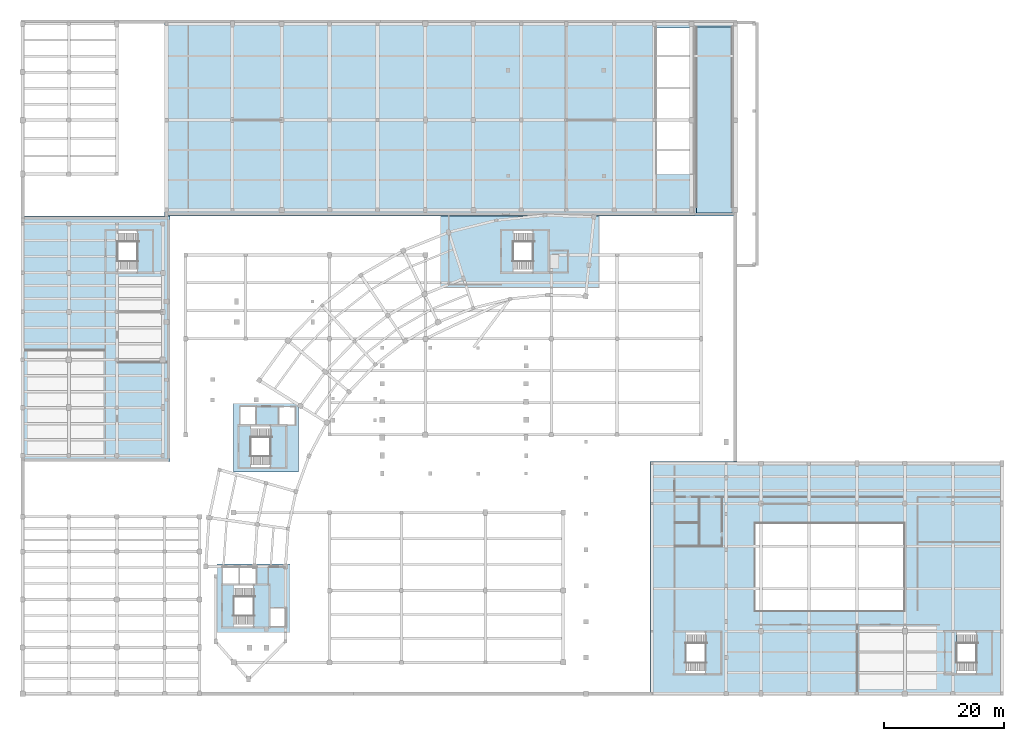
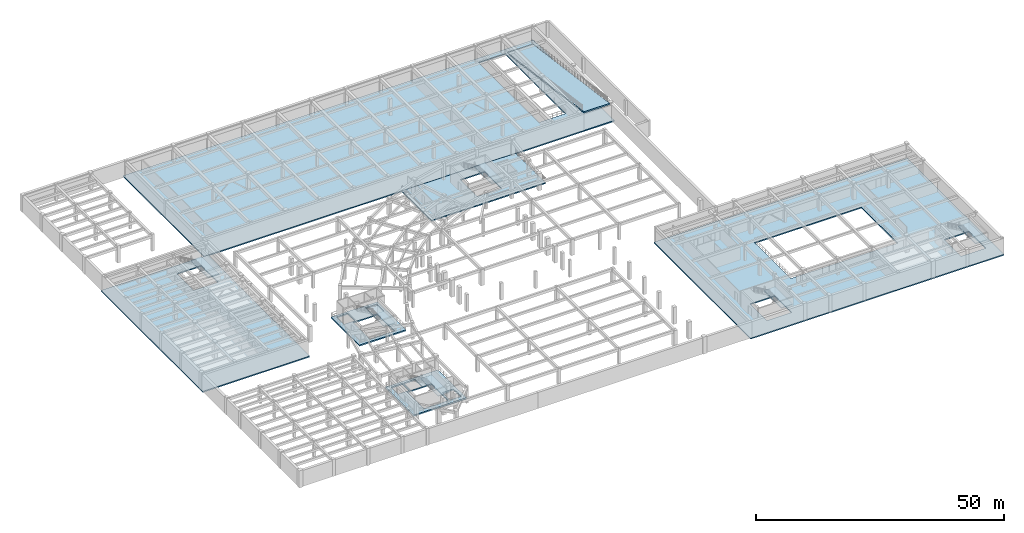
# One storey, part 9 of 35: 13 slabs, 6 elements without a shape of their own.
"""IFC4 building model written with IfcOpenShell, lengths in metres."""

import ifcopenshell
import ifcopenshell.guid

model = None  # the IFC model being written
_history = None  # IfcOwnerHistory: only IFC2X3 demands one
_inside = {}  # id of a spatial element -> (the spatial element, [elements in it])
_under = {}  # id of a project, library or spatial element -> (it, [spatial elements below it])
_declared = {}  # id of a project -> (the project, [libraries it declares])
_typed = {}  # id of a type object -> (the type object, [elements of that type])
_made_of = {}  # id of a material, layer set ... -> (it, [elements and type objects made of it])


def new_model(schema):
    """Start an empty IFC model of exactly this schema.

    Asked for "IFC4X3", IfcOpenShell would pick the latest addendum, in which some entities
    have other attributes; the version numbers below select the first issue.
    IFC2X3 requires an IfcOwnerHistory on every rooted entity: one is made here for all.
    """
    global model, _history
    if schema == "IFC4X3":
        model = ifcopenshell.file(schema_version=(4, 3, 0, 0))
    else:
        model = ifcopenshell.file(schema=schema)
    _inside.clear()
    _under.clear()
    _declared.clear()
    _typed.clear()
    _made_of.clear()
    _history = None
    if model.schema == "IFC2X3":
        org = make("IfcOrganization", Name="unknown")
        user = make(
            "IfcPersonAndOrganization",
            ThePerson=make("IfcPerson", FamilyName="unknown"),
            TheOrganization=org,
        )
        app = make(
            "IfcApplication",
            ApplicationDeveloper=org,
            Version="unknown",
            ApplicationFullName="unknown",
            ApplicationIdentifier="unknown",
        )
        _history = make(
            "IfcOwnerHistory",
            OwningUser=user,
            OwningApplication=app,
            ChangeAction="ADDED",
            CreationDate=0,
        )
    return model


def make(cls, **values):
    """One entity of the class cls with the attributes given. An attribute that is None is left unset."""
    return model.create_entity(
        cls, **{name: value for name, value in values.items() if value is not None}
    )


def rooted(cls, **values):
    """An entity with a GlobalId (a new one), such as an element, a storey or a relation."""
    return make(cls, GlobalId=ifcopenshell.guid.new(), OwnerHistory=_history, **values)


def si_unit(unit_type, name, prefix=None):
    """IfcSIUnit, for example si_unit("LENGTHUNIT", "METRE", prefix="MILLI")."""
    return make("IfcSIUnit", UnitType=unit_type, Prefix=prefix, Name=name)


def assignment(units):
    """IfcUnitAssignment: the units of a project."""
    return None if units is None else make("IfcUnitAssignment", Units=units)


def point(xyz):
    """IfcCartesianPoint."""
    return None if xyz is None else make("IfcCartesianPoint", Coordinates=xyz)


def direction(xyz):
    """IfcDirection."""
    return None if xyz is None else make("IfcDirection", DirectionRatios=xyz)


def frame(location, z_axis=None, x_axis=None):
    """IfcAxis2Placement3D, a coordinate frame: its origin and axes. An axis left out is left unset."""
    return make(
        "IfcAxis2Placement3D",
        Location=point(location),
        Axis=direction(z_axis),
        RefDirection=direction(x_axis),
    )


def origin():
    """The frame at (0, 0, 0) with its axes left unset."""
    return frame((0.0, 0.0, 0.0))


def place(relative_to, where):
    """IfcLocalPlacement: puts the frame where relative to a parent placement (None: the world)."""
    return make(
        "IfcLocalPlacement", PlacementRelTo=relative_to, RelativePlacement=where
    )


def context(
    kind, dimensions, precision=None, world=None, true_north=None, identifier=None
):
    """IfcGeometricRepresentationContext, for example the 3D "Model" context."""
    return make(
        "IfcGeometricRepresentationContext",
        ContextIdentifier=identifier,
        ContextType=kind,
        CoordinateSpaceDimension=dimensions,
        Precision=precision,
        WorldCoordinateSystem=world,
        TrueNorth=true_north,
    )


def subcontext(parent, identifier, kind, view, scale=None):
    """IfcGeometricRepresentationSubContext, for example "Body" below "Model"."""
    return make(
        "IfcGeometricRepresentationSubContext",
        ContextIdentifier=identifier,
        ContextType=kind,
        ParentContext=parent,
        TargetScale=scale,
        TargetView=view,
    )


def project(units=None, contexts=None):
    """IfcProject with its units and contexts."""
    return rooted(
        "IfcProject",
        Name="project",
        RepresentationContexts=contexts,
        UnitsInContext=assignment(units),
    )


def spatial(cls, under=None, at=None, **own):
    """A site, building, storey or space (cls), placed at a placement, below another one or the project."""
    s = rooted(cls, ObjectPlacement=at, **own)
    if under is not None:
        _under.setdefault(under.id(), (under, []))[1].append(s)
    return s


def polyline(points):
    """IfcPolyline through the points."""
    return make("IfcPolyline", Points=[point(p) for p in points])


def outline(outer, holes=None, kind="AREA"):
    """IfcArbitraryClosedProfileDef: a profile drawn as a closed curve; with holes, ...WithVoids."""
    if holes is None:
        return make("IfcArbitraryClosedProfileDef", ProfileType=kind, OuterCurve=outer)
    return make(
        "IfcArbitraryProfileDefWithVoids",
        ProfileType=kind,
        OuterCurve=outer,
        InnerCurves=holes,
    )


def extrude(swept, where, along, depth):
    """IfcExtrudedAreaSolid: the profile swept, set in the frame where, extruded along a direction by depth."""
    return make(
        "IfcExtrudedAreaSolid",
        SweptArea=swept,
        Position=where,
        ExtrudedDirection=direction(along),
        Depth=depth,
    )


def shape(context_of_items, identifier, shape_type, items):
    """IfcShapeRepresentation: the items that make up one representation, for example the "Body"."""
    return make(
        "IfcShapeRepresentation",
        ContextOfItems=context_of_items,
        RepresentationIdentifier=identifier,
        RepresentationType=shape_type,
        Items=items,
    )


def material(Name=None, Category=None):
    """IfcMaterial."""
    return make("IfcMaterial", Name=Name, Category=Category)


def layer(
    of_material, thickness, ventilated=None, Name=None, Category=None, Priority=None
):
    """IfcMaterialLayer: one layer of a wall or slab, of a material (None: an air gap)."""
    return make(
        "IfcMaterialLayer",
        Material=of_material,
        LayerThickness=thickness,
        IsVentilated=ventilated,
        Name=Name,
        Category=Category,
        Priority=Priority,
    )


def layer_set(layers, Name=None):
    """IfcMaterialLayerSet."""
    return make("IfcMaterialLayerSet", MaterialLayers=layers, LayerSetName=Name)


def made_of(thing, what):
    """Note that an element or type object is made of a material, layer set ...; save() writes the relation."""
    if what is not None:
        _made_of.setdefault(what.id(), (what, []))[1].append(thing)
    return thing


def type_object(cls, material=None, **own):
    """A type object (cls), such as IfcWallType, which elements share."""
    return made_of(rooted(cls, **own), material)


def element(
    cls,
    number,
    at=None,
    inside=None,
    cuts=None,
    type_object=None,
    material=None,
    context=None,
    identifier="Body",
    shape_type=None,
    held_by="IfcProductDefinitionShape",
    body=None,
    shapes=None,
    **own,
):
    """One element of the class cls, such as IfcWall. Its Tag is "e" and its number.

    at: its placement. inside: the storey or other place that contains it. cuts: it is an
    opening in that element (IfcRelVoidsElement). A single representation is given by context,
    identifier, shape_type and body (its items); several are given by shapes. held_by: the class
    of the entity that holds the representations. save() writes the other relations.
    """
    e = rooted(cls, Tag="e%d" % number, ObjectPlacement=at, **own)
    if body is not None:
        shapes = [shape(context, identifier, shape_type, body)]
    if shapes is not None:
        e.Representation = make(held_by, Representations=shapes)
    if inside is not None:
        _inside.setdefault(inside.id(), (inside, []))[1].append(e)
    if cuts is not None:
        rooted(
            "IfcRelVoidsElement", RelatingBuildingElement=cuts, RelatedOpeningElement=e
        )
    if type_object is not None:
        _typed.setdefault(type_object.id(), (type_object, []))[1].append(e)
    return made_of(e, material)


def aggregate(whole, parts):
    """IfcRelAggregates: a whole, such as a stair, and the parts it consists of."""
    return rooted("IfcRelAggregates", RelatingObject=whole, RelatedObjects=parts)


def save(model, path):
    """Write the relations noted so far, then the file.

    IfcRelAggregates (storeys below a building ...), IfcRelContainedInSpatialStructure (elements
    in a storey), IfcRelDefinesByType, IfcRelAssociatesMaterial and IfcRelDeclares: one each for
    every whole, place, type object, material and project.
    """
    for whole, parts in _under.values():
        aggregate(whole, parts)
    for where, things in _inside.values():
        rooted(
            "IfcRelContainedInSpatialStructure",
            RelatedElements=things,
            RelatingStructure=where,
        )
    for kind, things in _typed.values():
        rooted("IfcRelDefinesByType", RelatedObjects=things, RelatingType=kind)
    for what, things in _made_of.values():
        rooted("IfcRelAssociatesMaterial", RelatedObjects=things, RelatingMaterial=what)
    for by, libraries in _declared.values():
        rooted("IfcRelDeclares", RelatingContext=by, RelatedDefinitions=libraries)
    model.write(path)


model = new_model("IFC4")

# Units and contexts
model_context = context("Model", 3, precision=1e-05, world=origin(), true_north=direction((0.0, 1.0)))
body_context = subcontext(model_context, "Body", "Model", "MODEL_VIEW")
ifc_project = project(units=[si_unit("LENGTHUNIT", "METRE"), si_unit("AREAUNIT", "SQUARE_METRE"), si_unit("VOLUMEUNIT", "CUBIC_METRE"), si_unit("PLANEANGLEUNIT", "RADIAN"), si_unit("MASSUNIT", "GRAM", prefix="KILO"), si_unit("THERMODYNAMICTEMPERATUREUNIT", "KELVIN"), si_unit("POWERUNIT", "WATT")], contexts=[model_context])

# Site, building, storey
site_placement = place(None, origin())
site = spatial("IfcSite", under=ifc_project, at=site_placement, CompositionType="ELEMENT")
building_placement = place(site_placement, origin())
building = spatial("IfcBuilding", under=site, at=building_placement, Name="Solvatero Civic Police Headquarters", CompositionType="ELEMENT")
storey_placement = place(building_placement, frame((0.0, 0.0, -4.199951171875)))
storey = spatial("IfcBuildingStorey", under=building, at=storey_placement, Name="B01", CompositionType="ELEMENT", Elevation=-4.199951171875)

# Stair, slab
ifc_material_1 = material(Name="Precast concrete C40/50", Category="concrete")
stair_type_1 = type_object("IfcStairType", Name="STR-C150-420", PredefinedType="HALF_TURN_STAIR", material=ifc_material_1)
stair_1_placement = place(storey_placement, origin())
stair_1 = element("IfcStair", 1, at=stair_1_placement, inside=storey, type_object=stair_type_1, Name="Protected Exit Stair ST-C1 (B01 to L00)", PredefinedType="HALF_TURN_STAIR")
ifc_layer_1 = layer(ifc_material_1, 0.199951171875)
ifc_layer_set_1 = layer_set([ifc_layer_1], Name="Precast concrete C40/50")
slab_type_1 = type_object("IfcSlabType", Name="SLB-LND-200", PredefinedType="LANDING", material=ifc_layer_set_1)
slab_1_placement = place(storey_placement, frame((0.0, 0.0, 1.89990234375)))
slab_1 = element("IfcSlab", 2, at=slab_1_placement, type_object=slab_type_1, Name="ST-C1 B01 Half-Landing", PredefinedType="LANDING", context=body_context, shape_type="SweptSolid", body=[
    extrude(outline(polyline([(43.340087890625, 15.85009765625), (45.949951171875, 15.85009765625), (45.949951171875, 22.949951171875), (43.340087890625, 22.949951171875), (43.340087890625, 15.85009765625)])), origin(), (0.0, 0.0, 1.0), 0.199951171875),
])
aggregate(stair_1, [slab_1])

stair_2_placement = place(storey_placement, origin())
stair_2 = element("IfcStair", 3, at=stair_2_placement, inside=storey, type_object=stair_type_1, Name="Protected Exit Stair ST-C2 (B01 to L00)", PredefinedType="HALF_TURN_STAIR")
slab_2_placement = place(storey_placement, frame((0.0, 0.0, 1.89990234375)))
slab_2 = element("IfcSlab", 4, at=slab_2_placement, type_object=slab_type_1, Name="ST-C2 B01 Half-Landing", PredefinedType="LANDING", context=body_context, shape_type="SweptSolid", body=[
    extrude(outline(polyline([(46.139892578125, 42.449951171875), (48.75, 42.449951171875), (48.75, 49.550048828125), (46.139892578125, 49.550048828125), (46.139892578125, 42.449951171875)])), origin(), (0.0, 0.0, 1.0), 0.199951171875),
])
aggregate(stair_2, [slab_2])

stair_type_2 = type_object("IfcStairType", Name="STR-C145-420", PredefinedType="HALF_TURN_STAIR", material=ifc_material_1)
stair_3_placement = place(storey_placement, origin())
stair_3 = element("IfcStair", 5, at=stair_3_placement, inside=storey, type_object=stair_type_2, Name="Protected Exit Stair ST-C3 (B01 to L00)", PredefinedType="HALF_TURN_STAIR")
slab_3_placement = place(storey_placement, frame((0.0, 0.0, 1.89990234375)))
slab_3 = element("IfcSlab", 6, at=slab_3_placement, type_object=slab_type_1, Name="ST-C3 B01 Half-Landing", PredefinedType="LANDING", context=body_context, shape_type="SweptSolid", body=[
    extrude(outline(polyline([(89.93994140625, 75.050048828125), (92.550048828125, 75.050048828125), (92.550048828125, 82.14990234375), (89.93994140625, 82.14990234375), (89.93994140625, 75.050048828125)])), origin(), (0.0, 0.0, 1.0), 0.199951171875),
])
aggregate(stair_3, [slab_3])

stair_4_placement = place(storey_placement, origin())
stair_4 = element("IfcStair", 7, at=stair_4_placement, inside=storey, type_object=stair_type_2, Name="Protected Exit Stair ST-C4 (B01 to L00)", PredefinedType="HALF_TURN_STAIR")
slab_4_placement = place(storey_placement, frame((0.0, 0.0, 1.89990234375)))
slab_4 = element("IfcSlab", 8, at=slab_4_placement, type_object=slab_type_1, Name="ST-C4 B01 Half-Landing", PredefinedType="LANDING", context=body_context, shape_type="SweptSolid", body=[
    extrude(outline(polyline([(23.93994140625, 75.050048828125), (26.550048828125, 75.050048828125), (26.550048828125, 82.14990234375), (23.93994140625, 82.14990234375), (23.93994140625, 75.050048828125)])), origin(), (0.0, 0.0, 1.0), 0.199951171875),
])
aggregate(stair_4, [slab_4])

stair_5_placement = place(storey_placement, origin())
stair_5 = element("IfcStair", 9, at=stair_5_placement, inside=storey, type_object=stair_type_2, Name="Protected Exit Stair ST-C5 (B01 to L00)", PredefinedType="HALF_TURN_STAIR")
slab_5_placement = place(storey_placement, frame((0.0, 0.0, 1.89990234375)))
slab_5 = element("IfcSlab", 10, at=slab_5_placement, type_object=slab_type_1, Name="ST-C5 B01 Half-Landing", PredefinedType="LANDING", context=body_context, shape_type="SweptSolid", body=[
    extrude(outline(polyline([(118.739990234375, 8.050048828125), (121.35009765625, 8.050048828125), (121.35009765625, 15.14990234375), (118.739990234375, 15.14990234375), (118.739990234375, 8.050048828125)])), origin(), (0.0, 0.0, 1.0), 0.199951171875),
])
aggregate(stair_5, [slab_5])

stair_6_placement = place(storey_placement, origin())
stair_6 = element("IfcStair", 11, at=stair_6_placement, inside=storey, type_object=stair_type_2, Name="Protected Exit Stair ST-C6 (B01 to L00)", PredefinedType="HALF_TURN_STAIR")
slab_6_placement = place(storey_placement, frame((0.0, 0.0, 1.89990234375)))
slab_6 = element("IfcSlab", 12, at=slab_6_placement, type_object=slab_type_1, Name="ST-C6 B01 Half-Landing", PredefinedType="LANDING", context=body_context, shape_type="SweptSolid", body=[
    extrude(outline(polyline([(163.93994140625, 8.050048828125), (166.550048828125, 8.050048828125), (166.550048828125, 15.14990234375), (163.93994140625, 15.14990234375), (163.93994140625, 8.050048828125)])), origin(), (0.0, 0.0, 1.0), 0.199951171875),
])
aggregate(stair_6, [slab_6])

# Slabs
ifc_material_2 = material(Name="Concrete C35/45", Category="concrete")
ifc_layer_2 = layer(ifc_material_2, 0.280029296875)
ifc_layer_set_2 = layer_set([ifc_layer_2], Name="Concrete C35/45")
slab_type_2 = type_object("IfcSlabType", Name="SLB-RC-280", PredefinedType="FLOOR", material=ifc_layer_set_2)
slab_7_placement = place(storey_placement, frame((0.0, 0.0, -0.280029296875)))
element("IfcSlab", 13, at=slab_7_placement, inside=storey, type_object=slab_type_2, Name="B01 Suspended floor slab SLB-B01-N", PredefinedType="FLOOR", context=body_context, shape_type="SweptSolid", body=[
    extrude(outline(polyline([(28.5, 84.5), (28.5, 117.199951171875), (124.0, 117.199951171875), (124.0, 84.5), (28.5, 84.5)]), holes=[polyline([(116.699951171875, 91.5), (116.699951171875, 115.85009765625), (110.5, 115.85009765625), (110.5, 91.5), (116.699951171875, 91.5)])]), origin(), (0.0, 0.0, 1.0), 0.280029296875),
])
slab_8_placement = place(storey_placement, frame((0.0, 0.0, -0.280029296875)))
element("IfcSlab", 14, at=slab_8_placement, inside=storey, type_object=slab_type_2, Name="B01 Suspended floor slab SLB-B01-W", PredefinedType="FLOOR", context=body_context, shape_type="SweptSolid", body=[
    extrude(outline(polyline([(4.5, 84.5), (28.498046875, 84.5), (28.498046875, 84.498046875), (29.39990234375, 84.498046875), (29.39990234375, 43.5), (4.5, 43.5), (4.5, 84.5)]), holes=[polyline([(20.659912109375, 82.0), (20.659912109375, 75.199951171875), (26.39990234375, 75.199951171875), (26.39990234375, 82.0), (20.659912109375, 82.0)])]), origin(), (0.0, 0.0, 1.0), 0.280029296875),
])
slab_9_placement = place(storey_placement, frame((0.0, 0.0, -0.280029296875)))
element("IfcSlab", 15, at=slab_9_placement, inside=storey, type_object=slab_type_2, Name="B01 Suspended floor slab SLB-B01-E", PredefinedType="FLOOR", context=body_context, shape_type="SweptSolid", body=[
    extrude(outline(polyline([(109.5, 43.5), (168.5, 43.5), (168.5, 4.5), (109.5, 4.5), (109.5, 43.5)]), holes=[polyline([(121.199951171875, 15.0), (115.4599609375, 15.0), (115.4599609375, 8.199951171875), (121.199951171875, 8.199951171875), (121.199951171875, 15.0)]), polyline([(166.39990234375, 15.0), (160.659912109375, 15.0), (160.659912109375, 8.199951171875), (166.39990234375, 8.199951171875), (166.39990234375, 15.0)]), polyline([(151.89990234375, 33.199951171875), (127.0, 33.199951171875), (127.0, 18.60009765625), (151.89990234375, 18.60009765625), (151.89990234375, 33.199951171875)])]), origin(), (0.0, 0.0, 1.0), 0.280029296875),
])
slab_10_placement = place(storey_placement, frame((0.0, 0.0, -0.280029296875)))
element("IfcSlab", 16, at=slab_10_placement, inside=storey, type_object=slab_type_2, Name="B01 Suspended floor slab SLB-B01-C3", PredefinedType="FLOOR", context=body_context, shape_type="SweptSolid", body=[
    extrude(outline(polyline([(74.5, 84.498046875), (101.0, 84.498046875), (101.0, 72.5), (74.5, 72.5), (74.5, 84.498046875)]), holes=[polyline([(92.39990234375, 82.0), (86.659912109375, 82.0), (86.659912109375, 75.199951171875), (92.39990234375, 75.199951171875), (92.39990234375, 82.0)])]), origin(), (0.0, 0.0, 1.0), 0.280029296875),
])
ifc_material_3 = material(Name="Concrete C40/50", Category="concrete")
ifc_layer_3 = layer(ifc_material_3, 0.320068359375)
ifc_layer_set_3 = layer_set([ifc_layer_3], Name="Concrete C40/50")
slab_type_3 = type_object("IfcSlabType", Name="SLB-RC-320", PredefinedType="FLOOR", material=ifc_layer_set_3)
slab_11_placement = place(storey_placement, frame((0.0, 0.0, -0.320068359375)))
element("IfcSlab", 17, at=slab_11_placement, inside=storey, type_object=slab_type_3, Name="B01 Suspended floor slab SLB-B01-C1", PredefinedType="FLOOR", context=body_context, shape_type="SweptSolid", body=[
    extrude(outline(polyline([(37.199951171875, 26.39990234375), (49.39990234375, 26.39990234375), (49.39990234375, 15.0), (37.199951171875, 15.0), (37.199951171875, 26.39990234375)]), holes=[polyline([(46.10009765625, 19.0), (46.10009765625, 16.0), (48.699951171875, 16.0), (48.699951171875, 19.0), (46.10009765625, 19.0)]), polyline([(45.800048828125, 22.800048828125), (40.06005859375, 22.800048828125), (40.06005859375, 16.0), (45.800048828125, 16.0), (45.800048828125, 22.800048828125)]), polyline([(40.800048828125, 25.800048828125), (38.199951171875, 25.800048828125), (38.199951171875, 23.0), (40.800048828125, 23.0), (40.800048828125, 25.800048828125)]), polyline([(41.10009765625, 25.800048828125), (41.10009765625, 23.0), (43.699951171875, 23.0), (43.699951171875, 25.800048828125), (41.10009765625, 25.800048828125)])]), origin(), (0.0, 0.0, 1.0), 0.320068359375),
])
slab_12_placement = place(storey_placement, frame((0.0, 0.0, -0.320068359375)))
element("IfcSlab", 18, at=slab_12_placement, inside=storey, type_object=slab_type_3, Name="B01 Suspended floor slab SLB-B01-C2", PredefinedType="FLOOR", context=body_context, shape_type="SweptSolid", body=[
    extrude(outline(polyline([(40.0, 53.199951171875), (50.800048828125, 53.199951171875), (50.800048828125, 41.800048828125), (40.0, 41.800048828125), (40.0, 53.199951171875)]), holes=[polyline([(48.60009765625, 49.39990234375), (42.860107421875, 49.39990234375), (42.860107421875, 42.60009765625), (48.60009765625, 42.60009765625), (48.60009765625, 49.39990234375)]), polyline([(43.60009765625, 52.699951171875), (41.0, 52.699951171875), (41.0, 49.699951171875), (43.60009765625, 49.699951171875), (43.60009765625, 52.699951171875)]), polyline([(50.199951171875, 52.60009765625), (47.60009765625, 52.60009765625), (47.60009765625, 49.699951171875), (50.199951171875, 49.699951171875), (50.199951171875, 52.60009765625)])]), origin(), (0.0, 0.0, 1.0), 0.320068359375),
])
ifc_layer_4 = layer(ifc_material_2, 0.300048828125)
ifc_layer_set_4 = layer_set([ifc_layer_4], Name="Concrete C35/45")
slab_type_4 = type_object("IfcSlabType", Name="SLB-VRMP-300", PredefinedType="FLOOR", material=ifc_layer_set_4)
slab_13_placement = place(storey_placement, frame((123.199951171875, 116.0, 0.0), z_axis=(0.0, 0.134255736391, 0.990946717663), x_axis=(-1.0, 0.0, 0.0)))
element("IfcSlab", 19, at=slab_13_placement, inside=storey, type_object=slab_type_4, Name="B01-L00 Structural Concrete C35/45 Vehicle Ramp Slab VRS-01", PredefinedType="FLOOR", context=body_context, shape_type="SweptSolid", body=[
    extrude(outline(polyline([(0.0, 0.0), (6.0, 0.0), (6.0, 31.283215784924256), (0.0, 31.283215784924256), (0.0, 0.0)])), origin(), (0.0, 0.0, -1.0), 0.300048828125),
])

save(model, "model.ifc")
